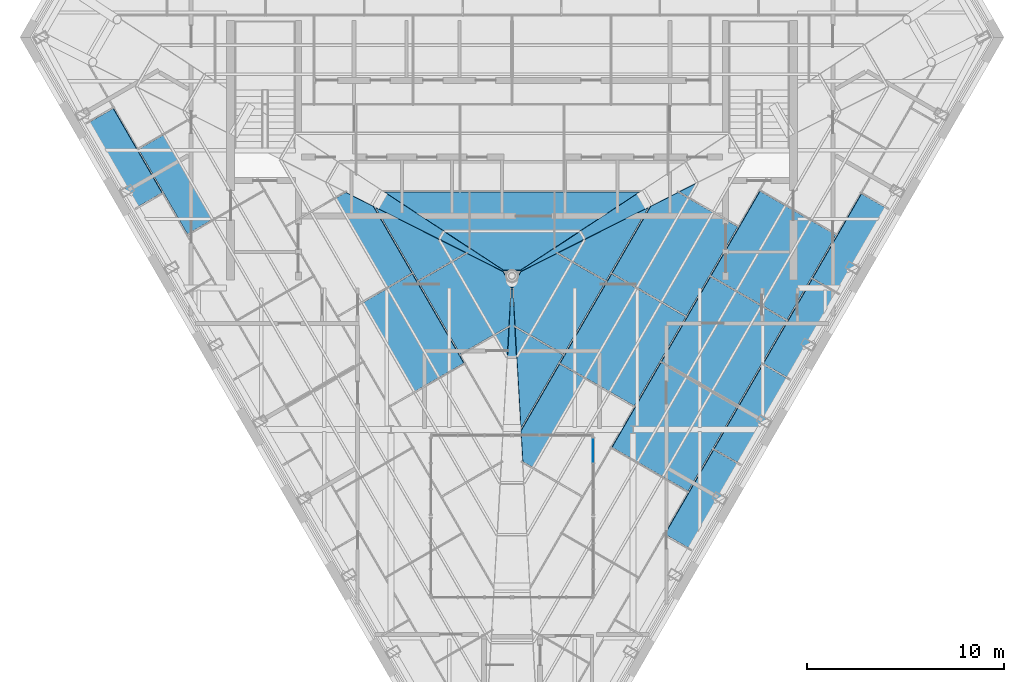
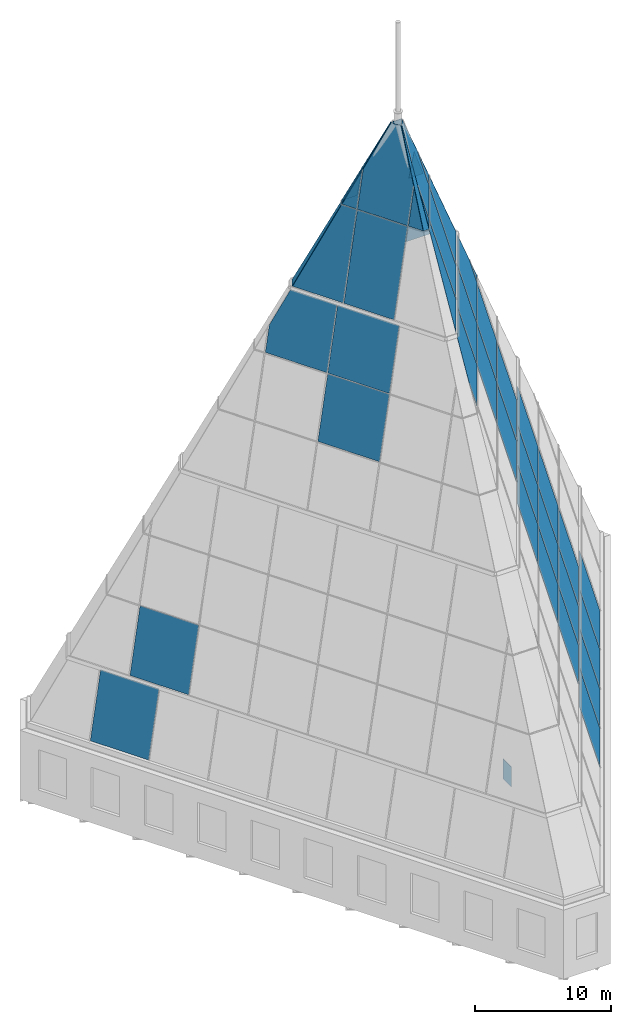
# One storey, part 27 of 36: 49 plates, 13 elements without a shape of their own.
"""IFC4 building model written with IfcOpenShell, lengths in metres."""

from ifc_helpers import new_model, si_unit, direction, frame, origin, origin_2d, place, context, subcontext, project, spatial, polyline, rectangle, outline, extrude, material, layer, layer_set, type_object, element, aggregate, save


model = new_model("IFC4")

# Units and contexts
model_context = context("Model", 3, precision=1e-05, world=origin(), true_north=direction((0.0, 1.0)))
body_context = subcontext(model_context, "Body", "Model", "MODEL_VIEW")
ifc_project = project(units=[si_unit("LENGTHUNIT", "METRE"), si_unit("AREAUNIT", "SQUARE_METRE"), si_unit("VOLUMEUNIT", "CUBIC_METRE"), si_unit("PLANEANGLEUNIT", "RADIAN"), si_unit("MASSUNIT", "GRAM", prefix="KILO")], contexts=[model_context])

# Site, building, storey
site_placement = place(None, origin())
site = spatial("IfcSite", under=ifc_project, at=site_placement, CompositionType="ELEMENT")
building_placement = place(site_placement, origin())
building = spatial("IfcBuilding", under=site, at=building_placement, Name="Njiva Tower", CompositionType="ELEMENT")
storey_placement = place(building_placement, frame((0.0, 0.0, 337.8)))
storey = spatial("IfcBuildingStorey", under=building, at=storey_placement, Name="L77", CompositionType="ELEMENT", Elevation=337.8)

# Curtain wall, plates
ifc_material_1 = material(Name="Glazed curtain wall", Category="glass")
ifc_layer_1 = layer(ifc_material_1, 0.16)
ifc_layer_set_1 = layer_set([ifc_layer_1], Name="Glazed curtain wall")
curtain_wall_type_1 = type_object("IfcCurtainWallType", Name="CW2 Crown glazing, faceted point, long faces", PredefinedType="NOTDEFINED", material=ifc_layer_set_1)
curtain_wall_1_placement = place(storey_placement, origin())
curtain_wall_1 = element("IfcCurtainWall", 1, at=curtain_wall_1_placement, inside=storey, type_object=curtain_wall_type_1, Name="Crown glazing face N tier 4", PredefinedType="NOTDEFINED")
ifc_material_2 = material(Name="Clear laminated glass", Category="glass")
ifc_layer_2 = layer(ifc_material_2, 0.032)
ifc_layer_set_2 = layer_set([ifc_layer_2], Name="Clear laminated glass")
plate_type_1 = type_object("IfcPlateType", Name="CW2-P Crown glass panel 32", PredefinedType="CURTAIN_PANEL", material=ifc_layer_set_2)
plate_1_placement = place(storey_placement, frame((2.1863, 8.8715, 44.6488), z_axis=(0.0, 0.963853636998, 0.266432292423), x_axis=(0.0, -0.266432292423, 0.963853636998)))
plate_1 = element("IfcPlate", 2, at=plate_1_placement, type_object=plate_type_1, Name="CW2-14 panel 1.1", PredefinedType="CURTAIN_PANEL", context=body_context, shape_type="SweptSolid", body=[
    extrude(outline(polyline([(0.0, 0.0), (7.416893733228212, 0.0), (7.416893733228212, 1.2709), (0.0, 4.282500000000001), (0.0, 0.0)])), origin(), (0.0, 0.0, -1.0), 0.032),
])
plate_2_placement = place(storey_placement, frame((3.4329, 6.8795, 51.8555), z_axis=(0.0, 0.963850818342, 0.266442489069), x_axis=(-1.0, 0.0, 0.0)))
plate_2 = element("IfcPlate", 3, at=plate_2_placement, type_object=plate_type_1, Name="CW2-14 panel 1.2", PredefinedType="CURTAIN_PANEL", context=body_context, shape_type="SweptSolid", body=[
    extrude(outline(polyline([(0.0, 0.0), (1.2466, 0.0), (1.2466, 3.0700809126144986), (0.0, 0.0)])), origin(), (0.0, 0.0, -1.0), 0.032),
])
plate_3_placement = place(storey_placement, frame((-2.1263, 8.8715, 44.6488), z_axis=(0.0, 0.963853636998, 0.266432292423), x_axis=(0.0, -0.266432292423, 0.963853636998)))
plate_3 = element("IfcPlate", 4, at=plate_3_placement, type_object=plate_type_1, Name="CW2-14 panel 2.1", PredefinedType="CURTAIN_PANEL", context=body_context, shape_type="SweptSolid", body=[
    extrude(outline(polyline([(0.0, 0.0), (7.416893733228212, 0.0), (7.416893733228212, 4.2526), (0.0, 4.2526), (0.0, 0.0)])), origin(), (0.0, 0.0, -1.0), 0.032),
])
plate_4_placement = place(storey_placement, frame((2.1263, 6.0221, 54.957), z_axis=(0.0, 0.963852363461, 0.266436899566), x_axis=(0.0, 0.266436899566, -0.963852363461)))
plate_4 = element("IfcPlate", 5, at=plate_4_placement, type_object=plate_type_1, Name="CW2-14 panel 2.2", PredefinedType="CURTAIN_PANEL", context=body_context, shape_type="SweptSolid", body=[
    extrude(outline(polyline([(0.0, 0.0), (3.217831102962653, 0.0), (3.217831102962653, 4.252599999999999), (0.0, 4.252599999999999), (-4.199062630180829, 2.5475999999999996), (-4.199062630180829, 1.7049999999999998), (0.0, 0.0)])), origin(), (0.0, 0.0, -1.0), 0.032),
])
plate_5_placement = place(storey_placement, frame((-3.4572, 6.8954, 51.7976), z_axis=(0.0, 0.963853636998, 0.266432292423), x_axis=(1.0, 0.0, 0.0)))
plate_5 = element("IfcPlate", 6, at=plate_5_placement, type_object=plate_type_1, Name="CW2-14 panel 3.1", PredefinedType="CURTAIN_PANEL", context=body_context, shape_type="SweptSolid", body=[
    extrude(outline(polyline([(0.0, 0.0), (1.2708999999999997, 0.0), (1.2708999999999997, 7.416893733228212), (-3.0116, 7.416893733228212), (0.0, 0.0)])), origin(), (0.0, 0.0, -1.0), 0.032),
])
plate_6_placement = place(storey_placement, frame((-2.1863, 6.0615, 54.8146), z_axis=(0.0, 0.963850818342, 0.266442489069), x_axis=(0.0, 0.266442489069, -0.963850818342)))
plate_6 = element("IfcPlate", 7, at=plate_6_placement, type_object=plate_type_1, Name="CW2-14 panel 3.2", PredefinedType="CURTAIN_PANEL", context=body_context, shape_type="SweptSolid", body=[
    extrude(outline(polyline([(0.0, 0.0), (3.0700809126144986, 0.0), (3.0700809126144986, 1.2466), (0.0, 0.0)])), origin(), (0.0, 0.0, -1.0), 0.032),
])
aggregate(curtain_wall_1, [plate_1, plate_2, plate_3, plate_4, plate_5, plate_6])

# Curtain wall, plate
curtain_wall_2_placement = place(storey_placement, origin())
curtain_wall_2 = element("IfcCurtainWall", 8, at=curtain_wall_2_placement, inside=storey, type_object=curtain_wall_type_1, Name="Crown glazing face SW tier 1", PredefinedType="NOTDEFINED")
plate_7_placement = place(storey_placement, frame((-19.0961, 8.0792, 6.5043), z_axis=(-0.83472112985, -0.481929472764, 0.266429387761), x_axis=(0.230731689237, 0.133219766811, 0.963854439899)))
plate_7 = element("IfcPlate", 9, at=plate_7_placement, type_object=plate_type_1, Name="CW2-31 panel 2.1", PredefinedType="CURTAIN_PANEL", context=body_context, shape_type="SweptSolid", body=[
    extrude(outline(polyline([(0.0, 0.0), (5.659971728574099, -9.078160315492689e-17), (5.660008693730805, 4.948451867694753), (1.3891987781455839e-05, 4.948501868047046), (0.0, 0.0)])), origin(), (0.0, 0.0, -1.0), 0.032),
])
aggregate(curtain_wall_2, [plate_7])

curtain_wall_3_placement = place(storey_placement, origin())
curtain_wall_3 = element("IfcCurtainWall", 10, at=curtain_wall_3_placement, inside=storey, type_object=curtain_wall_type_1, Name="Crown glazing face SW tier 2", PredefinedType="NOTDEFINED")
plate_8_placement = place(storey_placement, frame((-16.4899, 6.7409, 12.2488), z_axis=(-0.834724434486, -0.481924261072, 0.266428461432), x_axis=(0.23073051767, 0.13321994344, 0.96385469594)))
plate_8 = element("IfcPlate", 11, at=plate_8_placement, type_object=plate_type_1, Name="CW2-32 panel 2.1", PredefinedType="CURTAIN_PANEL", context=body_context, shape_type="SweptSolid", body=[
    extrude(outline(polyline([(0.0, 0.0), (5.541724870080228, -3.4023619425310736e-17), (5.541744350356936, 4.9695135300436215), (5.58753228195874e-05, 4.969550132813236), (0.0, 0.0)])), origin(), (0.0, 0.0, -1.0), 0.032),
])
aggregate(curtain_wall_3, [plate_8])

# Curtain wall, plates
curtain_wall_4_placement = place(storey_placement, origin())
curtain_wall_4 = element("IfcCurtainWall", 12, at=curtain_wall_4_placement, inside=storey, type_object=curtain_wall_type_1, Name="Crown glazing face SW tier 3", PredefinedType="NOTDEFINED")
plate_9_placement = place(storey_placement, frame((-8.4477, 8.8512, 41.2622), z_axis=(-0.834720738518, -0.481928320441, 0.266432698154), x_axis=(-0.230744424379, -0.133204329717, -0.963853524744)))
plate_9 = element("IfcPlate", 13, at=plate_9_placement, type_object=plate_type_1, Name="CW2-33 panel 2.3", PredefinedType="CURTAIN_PANEL", context=body_context, shape_type="SweptSolid", body=[
    extrude(outline(polyline([(0.0, 0.0), (2.189663724590703, 1.3118846287074604e-17), (2.1895721093298546, 5.223675720987594), (-3.21372659794375, 5.223585644178194), (-3.2136748270097653, 1.304768629179038), (0.0, 0.0)])), origin(), (0.0, 0.0, -1.0), 0.032),
])
plate_10_placement = place(storey_placement, frame((-4.9529, -1.2639, 33.9147), z_axis=(-0.834716328948, -0.481938984831, 0.266427222871), x_axis=(0.230732651718, 0.133213770043, 0.963855038324)))
plate_10 = element("IfcPlate", 14, at=plate_10_placement, type_object=plate_type_1, Name="CW2-33 panel 3.2", PredefinedType="CURTAIN_PANEL", context=body_context, shape_type="SweptSolid", body=[
    extrude(outline(polyline([(0.0, 0.0), (5.373318387179384, 1.0053603457550742e-16), (5.373300227079243, 5.223675722101268), (-1.816010014088487e-05, 5.223675722101268), (0.0, 0.0)])), origin(), (0.0, 0.0, -1.0), 0.032),
])
plate_11_placement = place(storey_placement, frame((-5.0644, 4.7035, 44.3597), z_axis=(-0.834719073242, -0.481931343438, 0.266432447306), x_axis=(-0.230735871763, -0.133218641567, -0.963853594184)))
plate_11 = element("IfcPlate", 15, at=plate_11_placement, type_object=plate_type_1, Name="CW2-33 panel 3.3", PredefinedType="CURTAIN_PANEL", context=body_context, shape_type="SweptSolid", body=[
    extrude(outline(polyline([(0.0, 0.0), (5.403298708035472, -6.102364165198881e-17), (5.403317248883814, 5.223625721461516), (-4.53273883449512e-06, 5.223675721964138), (0.0, 0.0)])), origin(), (0.0, 0.0, -1.0), 0.032),
])
aggregate(curtain_wall_4, [plate_9, plate_10, plate_11])

curtain_wall_5_placement = place(storey_placement, origin())
curtain_wall_5 = element("IfcCurtainWall", 16, at=curtain_wall_5_placement, inside=storey, type_object=curtain_wall_type_1, Name="Crown glazing face SW tier 4", PredefinedType="NOTDEFINED")
plate_12_placement = place(storey_placement, frame((-4.7824, 4.3749, 44.6488), z_axis=(-0.834714103591, -0.481938313064, 0.266435409936), x_axis=(0.230738505354, 0.133220005315, 0.963852775236)))
plate_12 = element("IfcPlate", 17, at=plate_12_placement, type_object=plate_type_1, Name="CW2-34 panel 1.1", PredefinedType="CURTAIN_PANEL", context=body_context, shape_type="SweptSolid", body=[
    extrude(outline(polyline([(0.0, 0.0), (7.416911284924421, -2.543809347194115e-16), (7.416898902621898, 1.2708975601070265), (5.99419861052608e-06, 4.282565017416943), (0.0, 0.0)])), origin(), (0.0, 0.0, -1.0), 0.032),
])
plate_13_placement = place(storey_placement, frame((-3.6805, 6.4505, 51.8555), z_axis=(-0.834706597016, -0.481957037444, 0.266425056922), x_axis=(0.500030314629, -0.866007900918, 0.0)))
plate_13 = element("IfcPlate", 18, at=plate_13_placement, type_object=plate_type_1, Name="CW2-34 panel 1.2", PredefinedType="CURTAIN_PANEL", context=body_context, shape_type="SweptSolid", body=[
    extrude(outline(polyline([(0.0, 0.0), (1.2465244241490012, -2.7755575615628914e-17), (1.246635268346936, 3.0700655640740697), (0.0, 0.0)])), origin(), (0.0, 0.0, -1.0), 0.032),
])
plate_14_placement = place(storey_placement, frame((-2.6261, 0.6402, 44.6488), z_axis=(-0.834724085751, -0.481924646282, 0.266428857245), x_axis=(0.230735298044, 0.133212455166, 0.963854586556)))
plate_14 = element("IfcPlate", 19, at=plate_14_placement, type_object=plate_type_1, Name="CW2-34 panel 2.1", PredefinedType="CURTAIN_PANEL", context=body_context, shape_type="SweptSolid", body=[
    extrude(outline(polyline([(0.0, 0.0), (7.416874889618809, -3.916680348103885e-18), (7.416880328802091, 4.252498357228196), (-1.763434652135576e-05, 4.252548356920485), (0.0, 0.0)])), origin(), (0.0, 0.0, -1.0), 0.032),
])
plate_15_placement = place(storey_placement, frame((-2.2847, 5.7477, 54.957), z_axis=(-0.834729773064, -0.481916195052, 0.266426325476), x_axis=(-0.230729621193, -0.133217224394, -0.963855286352)))
plate_15 = element("IfcPlate", 20, at=plate_15_placement, type_object=plate_type_1, Name="CW2-34 panel 2.2", PredefinedType="CURTAIN_PANEL", context=body_context, shape_type="SweptSolid", body=[
    extrude(outline(polyline([(0.0, 0.0), (3.217824138454544, -7.830650190776556e-17), (3.2178361389111467, 4.252548356296366), (4.8395141161561295e-05, 4.252584960406549), (-4.1990503020851815, 2.54757693121468), (-4.199052521317082, 1.7049881942307874), (0.0, 0.0)])), origin(), (0.0, 0.0, -1.0), 0.032),
])
plate_16_placement = place(storey_placement, frame((-0.1626, 1.9932, 54.8146), z_axis=(-0.834728579381, -0.481925086633, 0.266413981687), x_axis=(-0.230712417934, -0.133222333665, -0.963858698163)))
plate_16 = element("IfcPlate", 21, at=plate_16_placement, type_object=plate_type_1, Name="CW2-34 panel 3.2", PredefinedType="CURTAIN_PANEL", context=body_context, shape_type="SweptSolid", body=[
    extrude(outline(polyline([(0.0, 0.0), (3.0700558138248675, -7.792703114739563e-18), (3.070079595151471, 1.2466110257150977), (0.0, 0.0)])), origin(), (0.0, 0.0, -1.0), 0.032),
])
aggregate(curtain_wall_5, [plate_12, plate_13, plate_14, plate_15, plate_16])

curtain_wall_6_placement = place(storey_placement, origin())
curtain_wall_6 = element("IfcCurtainWall", 22, at=curtain_wall_6_placement, inside=storey, type_object=curtain_wall_type_1, Name="Crown glazing face SE tier 1", PredefinedType="NOTDEFINED")
plate_17_placement = place(storey_placement, frame((11.5534, -4.9851, 6.5043), z_axis=(0.83472112985, -0.481929472764, 0.266429387761), x_axis=(-0.230731689237, 0.133219766811, 0.963854439899)))
plate_17 = element("IfcPlate", 23, at=plate_17_placement, type_object=plate_type_1, Name="CW2-51 panel 4.1", PredefinedType="CURTAIN_PANEL", context=body_context, shape_type="SweptSolid", body=[
    extrude(outline(polyline([(0.0, 0.0), (5.659971728574099, -3.950561665994057e-18), (5.659957836586316, 4.948501868047049), (-3.696515670659206e-05, 4.948451867694752), (0.0, 0.0)])), origin(), (0.0, 0.0, -1.0), 0.032),
])
plate_18_placement = place(storey_placement, frame((14.0577, -0.6476, 6.5043), z_axis=(0.834723094453, -0.481930607035, 0.26642118082), x_axis=(-0.230736649261, 0.133194761956, 0.963856708269)))
plate_18 = element("IfcPlate", 24, at=plate_18_placement, type_object=plate_type_1, Name="CW2-51 panel 5.1", PredefinedType="CURTAIN_PANEL", context=body_context, shape_type="SweptSolid", body=[
    extrude(outline(polyline([(0.0, 0.0), (5.6599814812645866, 1.2973834246504667e-16), (5.66006394650647, 4.94845186714568), (0.00010553890680986555, 4.9485018669411085), (0.0, 0.0)])), origin(), (0.0, 0.0, -1.0), 0.032),
])
plate_19_placement = place(storey_placement, frame((16.5619, 3.6898, 6.5043), z_axis=(0.83472364548, -0.481921186243, 0.26643649511), x_axis=(-0.230742261373, 0.133215670042, 0.963852475264)))
plate_19 = element("IfcPlate", 25, at=plate_19_placement, type_object=plate_type_1, Name="CW2-51 panel 6.1", PredefinedType="CURTAIN_PANEL", context=body_context, shape_type="SweptSolid", body=[
    extrude(outline(polyline([(0.0, 0.0), (5.659994802117753, -2.2751304963250507e-18), (5.660001551240558, 4.948451868004221), (6.749122806293251e-06, 4.948451868004222), (0.0, 0.0)])), origin(), (0.0, 0.0, -1.0), 0.032),
])
plate_20_placement = place(storey_placement, frame((19.0661, 8.0273, 6.5043), z_axis=(0.83472112985, -0.481929472764, 0.266429387761), x_axis=(-0.230731689237, 0.133219766811, 0.963854439899)))
plate_20 = element("IfcPlate", 26, at=plate_20_placement, type_object=plate_type_1, Name="CW2-51 panel 7.1", PredefinedType="CURTAIN_PANEL", context=body_context, shape_type="SweptSolid", body=[
    extrude(outline(polyline([(0.0, 0.0), (5.6599717285740985, 5.468444707473763e-17), (5.659957836586315, 4.948501868047047), (-3.6965156706814106e-05, 4.948451867694753), (0.0, 0.0)])), origin(), (0.0, 0.0, -1.0), 0.032),
])
aggregate(curtain_wall_6, [plate_17, plate_18, plate_19, plate_20])

curtain_wall_7_placement = place(storey_placement, origin())
curtain_wall_7 = element("IfcCurtainWall", 27, at=curtain_wall_7_placement, inside=storey, type_object=curtain_wall_type_1, Name="Crown glazing face SE tier 2", PredefinedType="NOTDEFINED")
plate_21_placement = place(storey_placement, frame((11.4304, -2.0224, 12.2488), z_axis=(0.834718497556, -0.481930530985, 0.266435720471), x_axis=(-0.230744617898, 0.133210039238, 0.963852689345)))
plate_21 = element("IfcPlate", 28, at=plate_21_placement, type_object=plate_type_1, Name="CW2-52 panel 4.1", PredefinedType="CURTAIN_PANEL", context=body_context, shape_type="SweptSolid", body=[
    extrude(outline(polyline([(0.0, 0.0), (5.541711548738258, 2.2314235962467288e-17), (5.54176972942446, 4.9695135301188555), (4.485968227896375e-05, 4.969600132546578), (0.0, 0.0)])), origin(), (0.0, 0.0, -1.0), 0.032),
])
plate_22_placement = place(storey_placement, frame((10.1379, -1.2762, 17.648), z_axis=(0.834722496075, -0.481928740879, 0.266426431235), x_axis=(-0.230737876965, 0.13320313633, 0.963855257083)))
plate_22 = element("IfcPlate", 29, at=plate_22_placement, type_object=plate_type_1, Name="CW2-52 panel 4.2", PredefinedType="CURTAIN_PANEL", context=body_context, shape_type="SweptSolid", body=[
    extrude(outline(polyline([(0.0, 0.0), (5.511731227868254, -8.500145032286355e-17), (5.511779292937278, 4.969463529994745), (7.113885671994336e-05, 4.969513529833414), (0.0, 0.0)])), origin(), (0.0, 0.0, -1.0), 0.032),
])
plate_23_placement = place(storey_placement, frame((5.0889, -4.0995, 28.3597), z_axis=(0.834724434486, -0.481924261072, 0.266428461432), x_axis=(0.230733820148, -0.133214223347, -0.963854695967)))
plate_23 = element("IfcPlate", 30, at=plate_23_placement, type_object=plate_type_1, Name="CW2-52 panel 4.3", PredefinedType="CURTAIN_PANEL", context=body_context, shape_type="SweptSolid", body=[
    extrude(outline(polyline([(0.0, 0.0), (5.541688475154997, -3.862724349363786e-17), (5.541701818440936, 4.969513530063888), (-2.305151841019981e-05, 4.96955013307389), (0.0, 0.0)])), origin(), (0.0, 0.0, -1.0), 0.032),
])
plate_24_placement = place(storey_placement, frame((13.9451, 2.3333, 12.2488), z_axis=(0.834724434486, -0.481924261072, 0.266428461432), x_axis=(-0.230733820148, 0.133214223347, 0.963854695967)))
plate_24 = element("IfcPlate", 31, at=plate_24_placement, type_object=plate_type_1, Name="CW2-52 panel 5.1", PredefinedType="CURTAIN_PANEL", context=body_context, shape_type="SweptSolid", body=[
    extrude(outline(polyline([(0.0, 0.0), (5.541688475154997, 1.5395670849294163e-17), (5.541701818440936, 4.969513530063888), (-2.3051518409977767e-05, 4.96955013307389), (0.0, 0.0)])), origin(), (0.0, 0.0, -1.0), 0.032),
])
plate_25_placement = place(storey_placement, frame((12.6526, 3.0795, 17.648), z_axis=(0.834722496075, -0.481928740879, 0.266426431235), x_axis=(-0.230733341185, 0.133210992542, 0.963855257148)))
plate_25 = element("IfcPlate", 32, at=plate_25_placement, type_object=plate_type_1, Name="CW2-52 panel 5.2", PredefinedType="CURTAIN_PANEL", context=body_context, shape_type="SweptSolid", body=[
    extrude(outline(polyline([(0.0, 0.0), (5.511708154307347, 1.8214596497756474e-17), (5.51173421188113, 4.969513530274276), (2.9842396647161706e-06, 4.969463530226296), (0.0, 0.0)])), origin(), (0.0, 0.0, -1.0), 0.032),
])
plate_26_placement = place(storey_placement, frame((7.6036, 0.2562, 28.3597), z_axis=(0.834718497556, -0.481930530985, 0.266435720471), x_axis=(0.230744617898, -0.133210039238, -0.963852689345)))
plate_26 = element("IfcPlate", 33, at=plate_26_placement, type_object=plate_type_1, Name="CW2-52 panel 5.3", PredefinedType="CURTAIN_PANEL", context=body_context, shape_type="SweptSolid", body=[
    extrude(outline(polyline([(0.0, 0.0), (5.541711548738258, 1.0450353690044656e-16), (5.541769729424461, 4.9695135301188555), (4.4859682279074775e-05, 4.969600132546579), (0.0, 0.0)])), origin(), (0.0, 0.0, -1.0), 0.032),
])
plate_27_placement = place(storey_placement, frame((16.4599, 6.689, 12.2488), z_axis=(0.834724434486, -0.481924261072, 0.266428461432), x_axis=(-0.230738331326, 0.133206409673, 0.963854695936)))
plate_27 = element("IfcPlate", 34, at=plate_27_placement, type_object=plate_type_1, Name="CW2-52 panel 6.1", PredefinedType="CURTAIN_PANEL", context=body_context, shape_type="SweptSolid", body=[
    extrude(outline(polyline([(0.0, 0.0), (5.541711548762572, 1.0564194918155634e-17), (5.541746655301312, 4.96946353024714), (4.485973090573303e-05, 4.9696001325736905), (0.0, 0.0)])), origin(), (0.0, 0.0, -1.0), 0.032),
])
plate_28_placement = place(storey_placement, frame((15.1674, 7.4352, 17.648), z_axis=(0.834720043956, -0.481937022846, 0.266419132625), x_axis=(-0.230727020437, 0.133207343245, 0.963857274572)))
plate_28 = element("IfcPlate", 35, at=plate_28_placement, type_object=plate_type_1, Name="CW2-52 panel 6.2", PredefinedType="CURTAIN_PANEL", context=body_context, shape_type="SweptSolid", body=[
    extrude(outline(polyline([(0.0, 0.0), (5.511708154465365, -1.214306433183765e-16), (5.511734211723112, 4.969513530449536), (2.6057257746514573e-05, 4.969513530449537), (0.0, 0.0)])), origin(), (0.0, 0.0, -1.0), 0.032),
])
plate_29_placement = place(storey_placement, frame((10.1184, 4.6119, 28.3597), z_axis=(0.83472301334, -0.481929039523, 0.266424270413), x_axis=(0.230734701843, -0.133204314165, -0.963855854396)))
plate_29 = element("IfcPlate", 36, at=plate_29_placement, type_object=plate_type_1, Name="CW2-52 panel 6.3", PredefinedType="CURTAIN_PANEL", context=body_context, shape_type="SweptSolid", body=[
    extrude(outline(polyline([(0.0, 0.0), (5.541711548633483, 3.1204693776848424e-17), (5.5417466554304, 4.9694635301031855), (5.818026710047164e-05, 4.96951353000202), (0.0, 0.0)])), origin(), (0.0, 0.0, -1.0), 0.032),
])
aggregate(curtain_wall_7, [plate_21, plate_22, plate_23, plate_24, plate_25, plate_26, plate_27, plate_28, plate_29])

curtain_wall_8_placement = place(storey_placement, origin())
curtain_wall_8 = element("IfcCurtainWall", 37, at=curtain_wall_8_placement, inside=storey, type_object=curtain_wall_type_1, Name="Crown glazing face SE tier 3", PredefinedType="NOTDEFINED")
plate_30_placement = place(storey_placement, frame((0.5522, -4.8242, 41.2622), z_axis=(0.834719076784, -0.48193106339, 0.266432942769), x_axis=(0.230733218799, -0.133224227482, -0.963853457199)))
plate_30 = element("IfcPlate", 38, at=plate_30_placement, type_object=plate_type_1, Name="CW2-53 panel 2.3", PredefinedType="CURTAIN_PANEL", context=body_context, shape_type="SweptSolid", body=[
    extrude(outline(polyline([(0.0, 0.0), (2.189640650712259, 4.5621194539116616e-17), (2.189612984609467, 5.223675721882488), (-3.2137087966230666, 5.223592415183662), (-3.213671082308794, 1.3047754000971248), (0.0, 0.0)])), origin(), (0.0, 0.0, -1.0), 0.032),
])
plate_31_placement = place(storey_placement, frame((8.8253, 2.5321, 28.6488), z_axis=(0.834725988063, -0.481926109824, 0.266420249836), x_axis=(-0.230725308505, 0.133212542763, 0.963856965771)))
plate_31 = element("IfcPlate", 39, at=plate_31_placement, type_object=plate_type_1, Name="CW2-53 panel 3.1", PredefinedType="CURTAIN_PANEL", context=body_context, shape_type="SweptSolid", body=[
    extrude(outline(polyline([(0.0, 0.0), (5.403395093827585, -7.97125766002077e-17), (5.403376553632345, 5.223625721628251), (-1.8540195240057677e-05, 5.223625721628251), (0.0, 0.0)])), origin(), (0.0, 0.0, -1.0), 0.032),
])
plate_32_placement = place(storey_placement, frame((7.5648, 3.2599, 33.9147), z_axis=(0.834716328948, -0.481938984831, 0.266427222871), x_axis=(-0.230732651718, 0.133213770043, 0.963855038324)))
plate_32 = element("IfcPlate", 40, at=plate_32_placement, type_object=plate_type_1, Name="CW2-53 panel 3.2", PredefinedType="CURTAIN_PANEL", context=body_context, shape_type="SweptSolid", body=[
    extrude(outline(polyline([(0.0, 0.0), (5.373318387179384, 4.963274257731298e-17), (5.373336547279525, 5.223675722101268), (1.8160100140995894e-05, 5.223675722101268), (0.0, 0.0)])), origin(), (0.0, 0.0, -1.0), 0.032),
])
plate_33_placement = place(storey_placement, frame((2.4525, 0.1797, 44.3597), z_axis=(0.834719073242, -0.481931343438, 0.266432447306), x_axis=(0.23074049863, -0.133210627683, -0.963853594154)))
plate_33 = element("IfcPlate", 41, at=plate_33_placement, type_object=plate_type_1, Name="CW2-53 panel 3.3", PredefinedType="CURTAIN_PANEL", context=body_context, shape_type="SweptSolid", body=[
    extrude(outline(polyline([(0.0, 0.0), (5.403321781853992, 1.4663834382866447e-17), (5.403351578662028, 5.223625721409436), (5.2870857898845713e-05, 5.223675721698542), (0.0, 0.0)])), origin(), (0.0, 0.0, -1.0), 0.032),
])
plate_34_placement = place(storey_placement, frame((11.4672, 7.1079, 28.6488), z_axis=(0.834720210953, -0.481932000305, 0.266427694711), x_axis=(-0.230736382704, 0.133208251486, 0.963854907874)))
plate_34 = element("IfcPlate", 42, at=plate_34_placement, type_object=plate_type_1, Name="CW2-53 panel 4.1", PredefinedType="CURTAIN_PANEL", context=body_context, shape_type="SweptSolid", body=[
    extrude(outline(polyline([(0.0, 0.0), (5.403418167073332, 2.321886715013488e-16), (5.403447963349858, 5.223625721409439), (5.286991479702685e-05, 5.223675721698551), (0.0, 0.0)])), origin(), (0.0, 0.0, -1.0), 0.032),
])
plate_35_placement = place(storey_placement, frame((10.2066, 7.8357, 33.9147), z_axis=(0.834724318837, -0.481925146102, 0.266427222891), x_axis=(-0.230732651718, 0.133213770043, 0.963855038324)))
plate_35 = element("IfcPlate", 43, at=plate_35_placement, type_object=plate_type_1, Name="CW2-53 panel 4.2", PredefinedType="CURTAIN_PANEL", context=body_context, shape_type="SweptSolid", body=[
    extrude(outline(polyline([(0.0, 0.0), (5.373318387179384, -2.492648557179955e-16), (5.373313474014353, 5.223625721658843), (-4.91316503115069e-06, 5.223625721658842), (0.0, 0.0)])), origin(), (0.0, 0.0, -1.0), 0.032),
])
plate_36_placement = place(storey_placement, frame((5.0944, 4.7555, 44.3597), z_axis=(0.834720738518, -0.481928320441, 0.266432698154), x_axis=(0.230736089022, -0.133218766971, -0.963853524842)))
plate_36 = element("IfcPlate", 44, at=plate_36_placement, type_object=plate_type_1, Name="CW2-53 panel 4.3", PredefinedType="CURTAIN_PANEL", context=body_context, shape_type="SweptSolid", body=[
    extrude(outline(polyline([(0.0, 0.0), (5.403298708024427, 1.3699910888891054e-17), (5.403303240918043, 5.223675721789023), (3.2136395166316074, 5.2236392185467215), (-1.3558516124778652e-05, 3.9188170153176705), (0.0, 0.0)])), origin(), (0.0, 0.0, -1.0), 0.032),
])
plate_37_placement = place(storey_placement, frame((8.5118, 8.8835, 41.1198), z_axis=(0.83473613617, -0.481891543792, 0.266450976716), x_axis=(0.230763375841, -0.133208060757, -0.96384847197)))
plate_37 = element("IfcPlate", 45, at=plate_37_placement, type_object=plate_type_1, Name="CW2-53 panel 5.3", PredefinedType="CURTAIN_PANEL", context=body_context, shape_type="SweptSolid", body=[
    extrude(outline(polyline([(0.0, 0.0), (2.0419184729072737, 9.174044445121876e-17), (2.0419265045697608, 0.829056240514172), (0.0, 0.0)])), origin(), (0.0, 0.0, -1.0), 0.032),
])
aggregate(curtain_wall_8, [plate_30, plate_31, plate_32, plate_33, plate_34, plate_35, plate_36, plate_37])

curtain_wall_9_placement = place(storey_placement, origin())
curtain_wall_9 = element("IfcCurtainWall", 46, at=curtain_wall_9_placement, inside=storey, type_object=curtain_wall_type_1, Name="Crown glazing face SE tier 4", PredefinedType="NOTDEFINED")
plate_38_placement = place(storey_placement, frame((2.5961, 0.5882, 44.6488), z_axis=(0.83472123686, -0.48193241096, 0.266423737683), x_axis=(-0.230730864381, 0.133209895411, 0.963856001686)))
plate_38 = element("IfcPlate", 47, at=plate_38_placement, type_object=plate_type_1, Name="CW2-54 panel 1.1", PredefinedType="CURTAIN_PANEL", context=body_context, shape_type="SweptSolid", body=[
    extrude(outline(polyline([(0.0, 0.0), (7.416874889735867, 1.868046461874634e-16), (7.416880222171168, 1.270984161965083), (1.5139798929586501e-05, 4.282565017575951), (0.0, 0.0)])), origin(), (0.0, 0.0, -1.0), 0.032),
])
plate_39_placement = place(storey_placement, frame((0.2476, 0.5046, 51.8555), z_axis=(0.834728579381, -0.481925086633, 0.266413981687), x_axis=(0.499995577633, 0.866027957024, 0.0)))
plate_39 = element("IfcPlate", 48, at=plate_39_placement, type_object=plate_type_1, Name="CW2-54 panel 1.2", PredefinedType="CURTAIN_PANEL", context=body_context, shape_type="SweptSolid", body=[
    extrude(outline(polyline([(0.0, 0.0), (1.2466110259419336, 0.0), (1.2466695927269857, 3.070055813266235), (0.0, 0.0)])), origin(), (0.0, 0.0, -1.0), 0.032),
])
plate_40_placement = place(storey_placement, frame((4.7524, 4.323, 44.6488), z_axis=(0.834724085751, -0.481924646282, 0.266428857245), x_axis=(-0.230738668679, 0.133206616996, 0.963854586525)))
plate_40 = element("IfcPlate", 49, at=plate_40_placement, type_object=plate_type_1, Name="CW2-54 panel 2.1", PredefinedType="CURTAIN_PANEL", context=body_context, shape_type="SweptSolid", body=[
    extrude(outline(polyline([(0.0, 0.0), (7.416897963317144, 1.3948938575383818e-16), (7.416921191591655, 4.252498357168235), (4.6302141378795625e-05, 4.252548356704977), (0.0, 0.0)])), origin(), (0.0, 0.0, -1.0), 0.032),
])
plate_41_placement = place(storey_placement, frame((0.1585, 2.0648, 54.957), z_axis=(0.834729773064, -0.481916195052, 0.266426325476), x_axis=(0.230735308841, -0.133207372804, -0.963855286381)))
plate_41 = element("IfcPlate", 50, at=plate_41_placement, type_object=plate_type_1, Name="CW2-54 panel 2.2", PredefinedType="CURTAIN_PANEL", context=body_context, shape_type="SweptSolid", body=[
    extrude(outline(polyline([(0.0, 0.0), (3.217787743978181, -6.178088910683416e-17), (3.217824118604393, 4.25254835615773), (-1.9641952064830548e-08, 4.252584960681921), (-4.199071935868351, 2.5476445330996382), (-4.199079301548018, 1.7050557961450172), (0.0, 0.0)])), origin(), (0.0, 0.0, -1.0), 0.032),
])
plate_42_placement = place(storey_placement, frame((3.7065, 6.4636, 51.7976), z_axis=(0.834714103591, -0.481938313064, 0.266435409936), x_axis=(-0.500014355319, -0.866017115539, 8.282066e-06)))
plate_42 = element("IfcPlate", 51, at=plate_42_placement, type_object=plate_type_1, Name="CW2-54 panel 3.1", PredefinedType="CURTAIN_PANEL", context=body_context, shape_type="SweptSolid", body=[
    extrude(outline(polyline([(0.0, 0.0), (1.2708975601673471, 0.0), (1.2708252975065342, 7.416911284572395), (-3.0117397196487468, 7.416863565519411), (0.0, 0.0)])), origin(), (0.0, 0.0, -1.0), 0.032),
])
plate_43_placement = place(storey_placement, frame((2.3488, 5.7799, 54.8146), z_axis=(0.834706597016, -0.481957037444, 0.266425056922), x_axis=(0.230744257656, -0.133189337882, -0.963855636407)))
plate_43 = element("IfcPlate", 52, at=plate_43_placement, type_object=plate_type_1, Name="CW2-54 panel 3.2", PredefinedType="CURTAIN_PANEL", context=body_context, shape_type="SweptSolid", body=[
    extrude(outline(polyline([(0.0, 0.0), (3.070065566075075, 7.09881372434884e-17), (3.070110571628548, 1.2465244233365422), (0.0, 0.0)])), origin(), (0.0, 0.0, -1.0), 0.032),
])
aggregate(curtain_wall_9, [plate_38, plate_39, plate_40, plate_41, plate_42, plate_43])

ifc_layer_3 = layer(ifc_material_1, 0.16)
ifc_layer_set_3 = layer_set([ifc_layer_3], Name="Glazed curtain wall")
curtain_wall_type_2 = type_object("IfcCurtainWallType", Name="CW3 Crown glazing, faceted point, corner faces", PredefinedType="NOTDEFINED", material=ifc_layer_set_3)
curtain_wall_10_placement = place(storey_placement, origin())
curtain_wall_10 = element("IfcCurtainWall", 53, at=curtain_wall_10_placement, inside=storey, type_object=curtain_wall_type_2, Name="Crown glazing face NW tier 4", PredefinedType="NOTDEFINED")
ifc_layer_4 = layer(ifc_material_2, 0.032)
ifc_layer_set_4 = layer_set([ifc_layer_4], Name="Clear laminated glass")
plate_type_2 = type_object("IfcPlateType", Name="CW3-P Crown corner glass panel 32", PredefinedType="CURTAIN_PANEL", material=ifc_layer_set_4)
plate_44_placement = place(storey_placement, frame((-3.7225, 6.4882, 51.8064), z_axis=(-0.773628902866, 0.446714679091, 0.449382149329), x_axis=(0.500065493472, 0.865987587099, 3.505259e-05)))
plate_44 = element("IfcPlate", 54, at=plate_44_placement, type_object=plate_type_2, Name="CW3-24 panel 1.1", PredefinedType="CURTAIN_PANEL", context=body_context, shape_type="SweptSolid", body=[
    extrude(outline(polyline([(0.0, 0.0), (0.4720811886148987, 1.3877787807814457e-17), (0.6772929481433482, 8.010641814011876), (-0.20628968852090107, 8.010588620885121), (0.0, 0.0)])), origin(), (0.0, 0.0, -1.0), 0.032),
])
plate_45_placement = place(storey_placement, frame((-3.4638, 6.8822, 51.86), z_axis=(-0.773631864076, 0.446704539059, 0.449387131181), x_axis=(-0.50002578731, -0.866010514323, 3.3257959e-05)))
plate_45 = element("IfcPlate", 55, at=plate_45_placement, type_object=plate_type_2, Name="CW3-24 panel 1.2", PredefinedType="CURTAIN_PANEL", context=body_context, shape_type="SweptSolid", body=[
    extrude(outline(polyline([(0.0, 0.0), (0.4690295180424173, 0.0), (0.26348032532320054, 8.010627900992965), (0.20595225903535977, 8.010647504153), (0.0, 0.0)])), origin(), (0.0, 0.0, -1.0), 0.032),
])
aggregate(curtain_wall_10, [plate_44, plate_45])

# Curtain wall, plate
curtain_wall_11_placement = place(storey_placement, origin())
curtain_wall_11 = element("IfcCurtainWall", 56, at=curtain_wall_11_placement, inside=storey, type_object=curtain_wall_type_2, Name="Crown glazing face S tier 4", PredefinedType="NOTDEFINED")
plate_46_placement = place(storey_placement, frame((-0.2345, 0.4765, 51.86), z_axis=(0.0, -0.893341001717, 0.449379410578), x_axis=(1.0, 0.0, 0.0)))
plate_46 = element("IfcPlate", 57, at=plate_46_placement, type_object=plate_type_2, Name="CW3-44 panel 1.2", PredefinedType="CURTAIN_PANEL", context=body_context, shape_type="SweptSolid", body=[
    extrude(outline(polyline([(0.0, 0.0), (0.469, 0.0), (0.2632, 8.010602878685184), (0.20579999999999998, 8.010602878685184), (0.0, 0.0)])), origin(), (0.0, 0.0, -1.0), 0.032),
])
aggregate(curtain_wall_11, [plate_46])

# Curtain wall, plates
curtain_wall_12_placement = place(storey_placement, origin())
curtain_wall_12 = element("IfcCurtainWall", 58, at=curtain_wall_12_placement, inside=storey, type_object=curtain_wall_type_2, Name="Crown glazing face NE tier 4", PredefinedType="NOTDEFINED")
plate_47_placement = place(storey_placement, frame((3.4864, 6.897, 51.8064), z_axis=(0.773628902866, 0.446714679091, 0.449382149329), x_axis=(0.500065493472, -0.865987587099, -3.505259e-05)))
plate_47 = element("IfcPlate", 59, at=plate_47_placement, type_object=plate_type_2, Name="CW3-64 panel 1.1", PredefinedType="CURTAIN_PANEL", context=body_context, shape_type="SweptSolid", body=[
    extrude(outline(polyline([(0.0, 0.0), (0.4720811886148987, -1.3877787807814457e-17), (0.6783708771357998, 8.010588620885121), (-0.2052117595284491, 8.010641814011876), (0.0, 0.0)])), origin(), (0.0, 0.0, -1.0), 0.032),
])
plate_48_placement = place(storey_placement, frame((3.6983, 6.476, 51.86), z_axis=(0.773631864076, 0.446704539059, 0.449387131181), x_axis=(-0.50002578731, 0.866010514323, -3.3257959e-05)))
plate_48 = element("IfcPlate", 60, at=plate_48_placement, type_object=plate_type_2, Name="CW3-64 panel 1.2", PredefinedType="CURTAIN_PANEL", context=body_context, shape_type="SweptSolid", body=[
    extrude(outline(polyline([(0.0, 0.0), (0.4690295180424173, 0.0), (0.26307725900705736, 8.010647504153), (0.20554919271921676, 8.010627900992965), (0.0, 0.0)])), origin(), (0.0, 0.0, -1.0), 0.032),
])
aggregate(curtain_wall_12, [plate_47, plate_48])

# Curtain wall, plate
ifc_layer_5 = layer(ifc_material_1, 0.2)
ifc_layer_set_5 = layer_set([ifc_layer_5], Name="Glazed curtain wall")
curtain_wall_type_3 = type_object("IfcCurtainWallType", Name="CW5 Atrium lantern glazing", PredefinedType="NOTDEFINED", material=ifc_layer_set_5)
curtain_wall_13_placement = place(storey_placement, origin())
curtain_wall_13 = element("IfcCurtainWall", 61, at=curtain_wall_13_placement, inside=storey, type_object=curtain_wall_type_3, Name="Atrium lantern east 2", PredefinedType="NOTDEFINED")
ifc_layer_6 = layer(ifc_material_2, 0.028)
ifc_layer_set_6 = layer_set([ifc_layer_6], Name="Clear laminated glass")
plate_type_3 = type_object("IfcPlateType", Name="CW5-P Lantern glass panel 28", PredefinedType="CURTAIN_PANEL", material=ifc_layer_set_6)
plate_49_placement = place(storey_placement, frame((4.12, -4.2583, 3.83), z_axis=(0.0, 0.0, 1.0), x_axis=(0.0, 1.0, 0.0)))
plate_49 = element("IfcPlate", 62, at=plate_49_placement, type_object=plate_type_3, Name="CW5-8 panel 3.3", PredefinedType="CURTAIN_PANEL", context=body_context, shape_type="SweptSolid", body=[
    extrude(rectangle(XDim=1.2367, YDim=0.028, at=origin_2d()), origin(), (0.0, 0.0, 1.0), 1.81),
])
aggregate(curtain_wall_13, [plate_49])

save(model, "model.ifc")
